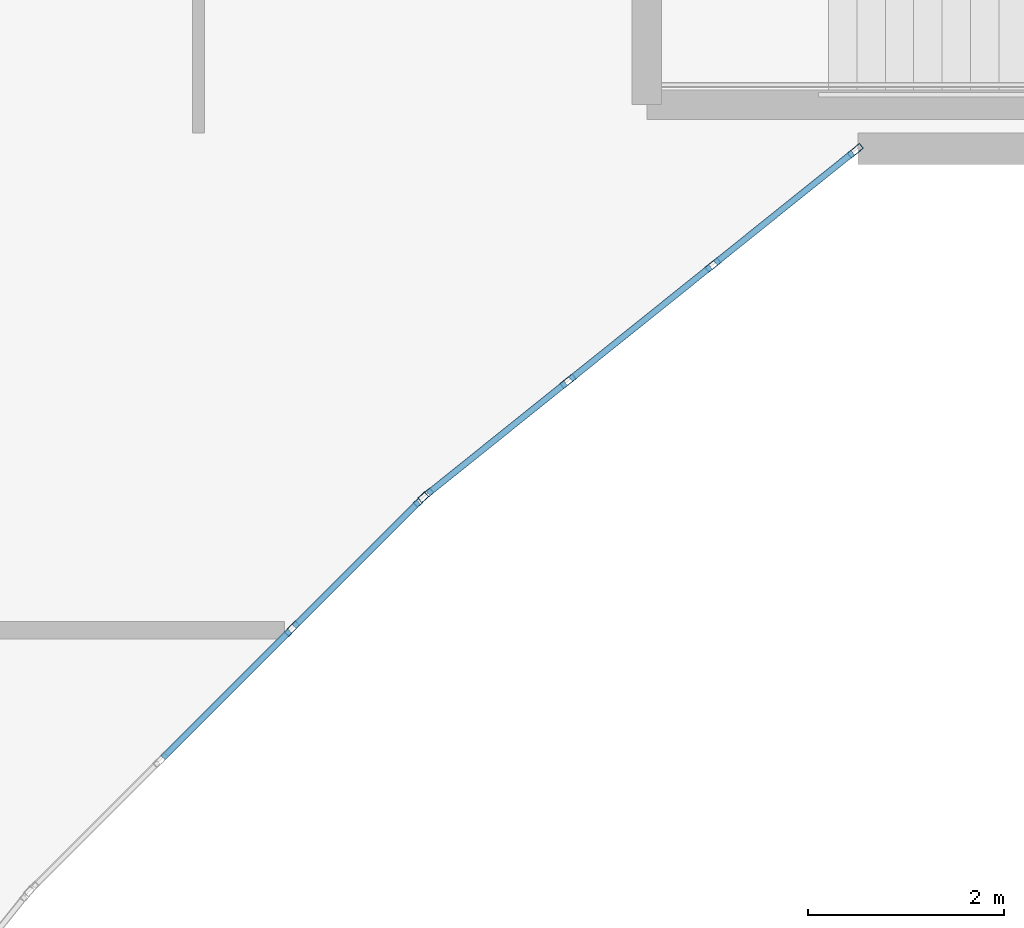
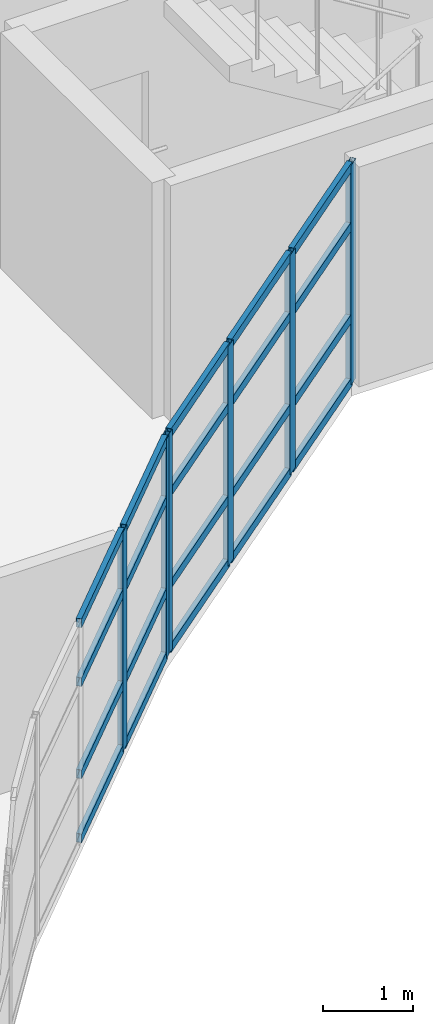
# One storey, part 16 of 68: 26 members, 2 elements without a shape of their own.
"""IFC4 building model written with IfcOpenShell, lengths in metres."""

from ifc_helpers import new_model, si_unit, direction, frame, origin, origin_2d, place, context, subcontext, project, spatial, hollow_rectangle, extrude, material, layer, layer_set, material_profile, profile_set, type_object, element, aggregate, save


model = new_model("IFC4")

# Units and contexts
model_context = context("Model", 3, precision=1e-05, world=origin(), true_north=direction((0.0, 1.0)))
body_context = subcontext(model_context, "Body", "Model", "MODEL_VIEW")
ifc_project = project(units=[si_unit("LENGTHUNIT", "METRE"), si_unit("AREAUNIT", "SQUARE_METRE"), si_unit("VOLUMEUNIT", "CUBIC_METRE"), si_unit("PLANEANGLEUNIT", "RADIAN"), si_unit("MASSUNIT", "GRAM", prefix="KILO")], contexts=[model_context])

# Site, building, storey
site_placement = place(None, origin())
site = spatial("IfcSite", under=ifc_project, at=site_placement, CompositionType="ELEMENT")
building_placement = place(site_placement, origin())
building = spatial("IfcBuilding", under=site, at=building_placement, Name="Keldmere Railside Commons", CompositionType="ELEMENT")
storey_placement = place(building_placement, frame((0.0, 0.0, 23.360107421875)))
storey = spatial("IfcBuildingStorey", under=building, at=storey_placement, Name="L07", CompositionType="ELEMENT", Elevation=23.360107421875)

# Curtain wall, members
ifc_material = material(Name="Thermally Broken Aluminium", Category="aluminium")
ifc_layer_1 = layer(ifc_material, 0.159912109375, Name="Court Chord Wintergarden CW 5400x2850")
ifc_layer_set_1 = layer_set([ifc_layer_1], Name="Thermally Broken Aluminium")
curtain_wall_type_1 = type_object("IfcCurtainWallType", Name="Court Chord Wintergarden CW 5400x2850", PredefinedType="NOTDEFINED", material=ifc_layer_set_1)
curtain_wall_1_placement = place(storey_placement, origin())
curtain_wall_1 = element("IfcCurtainWall", 1, at=curtain_wall_1_placement, inside=storey, type_object=curtain_wall_type_1, Name="CW-13 CW-L07-128", PredefinedType="NOTDEFINED")
ifc_material_profile_1 = material_profile(ifc_material, hollow_rectangle(XDim=0.06494140625, YDim=0.159912109375, WallThickness=0.00390625, at=origin_2d()), Name="ALU-MULL-65x160")
ifc_profile_set_1 = profile_set([ifc_material_profile_1], Name="Thermally Broken Aluminium")
member_type_1 = type_object("IfcMemberType", Name="Unitised Curtain Wall Mullion 65x160", PredefinedType="MULLION", material=ifc_profile_set_1)
member_1_placement = place(storey_placement, frame((127.547119140625, 96.423095703125, 0.0), z_axis=(0.0, 0.0, 1.0), x_axis=(0.707106781187, -0.707106781187, 0.0)))
member_1 = element("IfcMember", 2, at=member_1_placement, type_object=member_type_1, Name="CW-13 mullion 1", PredefinedType="MULLION", context=body_context, shape_type="SweptSolid", body=[
    extrude(hollow_rectangle(XDim=0.06494140625, YDim=0.159912109375, WallThickness=0.00390625, at=origin_2d()), origin(), (0.0, 0.0, 1.0), 2.97998046875),
])
member_2_placement = place(storey_placement, frame((126.2314453125, 95.107421875, 0.0), z_axis=(0.0, 0.0, 1.0), x_axis=(0.707106781187, -0.707106781187, 0.0)))
member_2 = element("IfcMember", 3, at=member_2_placement, type_object=member_type_1, Name="CW-13 mullion 2", PredefinedType="MULLION", context=body_context, shape_type="SweptSolid", body=[
    extrude(hollow_rectangle(XDim=0.06494140625, YDim=0.159912109375, WallThickness=0.00390625, at=origin_2d()), origin(), (0.0, 0.0, 1.0), 2.97998046875),
])

ifc_layer_2 = layer(ifc_material, 0.159912109375, Name="Court Chord Wintergarden CW 4800x2850")
ifc_layer_set_2 = layer_set([ifc_layer_2], Name="Thermally Broken Aluminium")
curtain_wall_type_2 = type_object("IfcCurtainWallType", Name="Court Chord Wintergarden CW 4800x2850", PredefinedType="NOTDEFINED", material=ifc_layer_set_2)
curtain_wall_2_placement = place(storey_placement, origin())
curtain_wall_2 = element("IfcCurtainWall", 4, at=curtain_wall_2_placement, inside=storey, type_object=curtain_wall_type_2, Name="CW-12 CW-L07-129", PredefinedType="NOTDEFINED")
member_3_placement = place(storey_placement, frame((131.974609375, 99.979736328125, 0.0), z_axis=(0.0, 0.0, 1.0), x_axis=(0.625768080915, -0.780009172323, 0.0)))
member_3 = element("IfcMember", 5, at=member_3_placement, type_object=member_type_1, Name="CW-12 mullion 1", PredefinedType="MULLION", context=body_context, shape_type="SweptSolid", body=[
    extrude(hollow_rectangle(XDim=0.06494140625, YDim=0.159912109375, WallThickness=0.00390625, at=origin_2d()), origin(), (0.0, 0.0, 1.0), 2.97998046875),
])
member_4_placement = place(storey_placement, frame((130.5234375, 98.8154296875, 0.0), z_axis=(0.0, 0.0, 1.0), x_axis=(0.625768080915, -0.780009172323, 0.0)))
member_4 = element("IfcMember", 6, at=member_4_placement, type_object=member_type_1, Name="CW-12 mullion 2", PredefinedType="MULLION", context=body_context, shape_type="SweptSolid", body=[
    extrude(hollow_rectangle(XDim=0.06494140625, YDim=0.159912109375, WallThickness=0.00390625, at=origin_2d()), origin(), (0.0, 0.0, 1.0), 2.97998046875),
])
member_5_placement = place(storey_placement, frame((129.046630859375, 97.630615234375, 0.0), z_axis=(0.0, 0.0, 1.0), x_axis=(0.625768080915, -0.780009172323, 0.0)))
member_5 = element("IfcMember", 7, at=member_5_placement, type_object=member_type_1, Name="CW-12 mullion 3", PredefinedType="MULLION", context=body_context, shape_type="SweptSolid", body=[
    extrude(hollow_rectangle(XDim=0.06494140625, YDim=0.159912109375, WallThickness=0.00390625, at=origin_2d()), origin(), (0.0, 0.0, 1.0), 2.97998046875),
])
member_6_placement = place(storey_placement, frame((127.595458984375, 96.46630859375, 0.0), z_axis=(0.0, 0.0, 1.0), x_axis=(0.625768080915, -0.780009172323, 0.0)))
member_6 = element("IfcMember", 8, at=member_6_placement, type_object=member_type_1, Name="CW-12 mullion 4", PredefinedType="MULLION", context=body_context, shape_type="SweptSolid", body=[
    extrude(hollow_rectangle(XDim=0.06494140625, YDim=0.159912109375, WallThickness=0.00390625, at=origin_2d()), origin(), (0.0, 0.0, 1.0), 2.97998046875),
])

# Member
ifc_material_profile_2 = material_profile(ifc_material, hollow_rectangle(XDim=0.06494140625, YDim=0.1201171875, WallThickness=0.00390625, at=origin_2d()), Name="ALU-TRAN-65x120")
ifc_profile_set_2 = profile_set([ifc_material_profile_2], Name="Thermally Broken Aluminium")
member_type_2 = type_object("IfcMemberType", Name="Unitised Curtain Wall Transom 65x120", PredefinedType="USERDEFINED", material=ifc_profile_set_2)
member_7_placement = place(storey_placement, frame((127.52392578125, 96.400146484375, 0.032470703125), z_axis=(-0.707038793419, -0.707174762418, 0.0), x_axis=(0.707174762418, -0.707038793419, 0.0)))
member_7 = element("IfcMember", 9, at=member_7_placement, type_object=member_type_2, Name="CW-13 transom 1.1", ObjectType="TRANSOM", PredefinedType="USERDEFINED", context=body_context, shape_type="SweptSolid", body=[
    extrude(hollow_rectangle(XDim=0.06494140625, YDim=0.1201171875, WallThickness=0.00390625, at=origin_2d()), origin(), (0.0, 0.0, 1.0), 1.795654296875),
])

member_8_placement = place(storey_placement, frame((127.52392578125, 96.400146484375, 0.89990234375), z_axis=(-0.707038793419, -0.707174762418, 0.0), x_axis=(0.707174762418, -0.707038793419, 0.0)))
member_8 = element("IfcMember", 10, at=member_8_placement, type_object=member_type_2, Name="CW-13 transom 1.2", ObjectType="TRANSOM", PredefinedType="USERDEFINED", context=body_context, shape_type="SweptSolid", body=[
    extrude(hollow_rectangle(XDim=0.06494140625, YDim=0.1201171875, WallThickness=0.00390625, at=origin_2d()), origin(), (0.0, 0.0, 1.0), 1.795654296875),
])

member_9_placement = place(storey_placement, frame((127.52392578125, 96.400146484375, 2.14990234375), z_axis=(-0.707038793419, -0.707174762418, 0.0), x_axis=(0.707174762418, -0.707038793419, 0.0)))
member_9 = element("IfcMember", 11, at=member_9_placement, type_object=member_type_2, Name="CW-13 transom 1.3", ObjectType="TRANSOM", PredefinedType="USERDEFINED", context=body_context, shape_type="SweptSolid", body=[
    extrude(hollow_rectangle(XDim=0.06494140625, YDim=0.1201171875, WallThickness=0.00390625, at=origin_2d()), origin(), (0.0, 0.0, 1.0), 1.795654296875),
])

member_10_placement = place(storey_placement, frame((127.52392578125, 96.400146484375, 2.947509765625), z_axis=(-0.707038793419, -0.707174762418, 0.0), x_axis=(0.707174762418, -0.707038793419, 0.0)))
member_10 = element("IfcMember", 12, at=member_10_placement, type_object=member_type_2, Name="CW-13 transom 1.4", ObjectType="TRANSOM", PredefinedType="USERDEFINED", context=body_context, shape_type="SweptSolid", body=[
    extrude(hollow_rectangle(XDim=0.06494140625, YDim=0.1201171875, WallThickness=0.00390625, at=origin_2d()), origin(), (0.0, 0.0, 1.0), 1.795654296875),
])

member_11_placement = place(storey_placement, frame((126.208251953125, 95.08447265625, 0.032470703125), z_axis=(-0.707106781187, -0.707106781187, 0.0), x_axis=(0.707106781187, -0.707106781187, 0.0)))
member_11 = element("IfcMember", 13, at=member_11_placement, type_object=member_type_2, Name="CW-13 transom 2.1", ObjectType="TRANSOM", PredefinedType="USERDEFINED", context=body_context, shape_type="SweptSolid", body=[
    extrude(hollow_rectangle(XDim=0.06494140625, YDim=0.1201171875, WallThickness=0.00390625, at=origin_2d()), origin(), (0.0, 0.0, 1.0), 1.828125),
])

member_12_placement = place(storey_placement, frame((126.208251953125, 95.08447265625, 0.89990234375), z_axis=(-0.707106781187, -0.707106781187, 0.0), x_axis=(0.707106781187, -0.707106781187, 0.0)))
member_12 = element("IfcMember", 14, at=member_12_placement, type_object=member_type_2, Name="CW-13 transom 2.2", ObjectType="TRANSOM", PredefinedType="USERDEFINED", context=body_context, shape_type="SweptSolid", body=[
    extrude(hollow_rectangle(XDim=0.06494140625, YDim=0.1201171875, WallThickness=0.00390625, at=origin_2d()), origin(), (0.0, 0.0, 1.0), 1.828125),
])

member_13_placement = place(storey_placement, frame((126.208251953125, 95.08447265625, 2.14990234375), z_axis=(-0.707106781187, -0.707106781187, 0.0), x_axis=(0.707106781187, -0.707106781187, 0.0)))
member_13 = element("IfcMember", 15, at=member_13_placement, type_object=member_type_2, Name="CW-13 transom 2.3", ObjectType="TRANSOM", PredefinedType="USERDEFINED", context=body_context, shape_type="SweptSolid", body=[
    extrude(hollow_rectangle(XDim=0.06494140625, YDim=0.1201171875, WallThickness=0.00390625, at=origin_2d()), origin(), (0.0, 0.0, 1.0), 1.828125),
])

member_14_placement = place(storey_placement, frame((126.208251953125, 95.08447265625, 2.947509765625), z_axis=(-0.707106781187, -0.707106781187, 0.0), x_axis=(0.707106781187, -0.707106781187, 0.0)))
member_14 = element("IfcMember", 16, at=member_14_placement, type_object=member_type_2, Name="CW-13 transom 2.4", ObjectType="TRANSOM", PredefinedType="USERDEFINED", context=body_context, shape_type="SweptSolid", body=[
    extrude(hollow_rectangle(XDim=0.06494140625, YDim=0.1201171875, WallThickness=0.00390625, at=origin_2d()), origin(), (0.0, 0.0, 1.0), 1.828125),
])

aggregate(curtain_wall_1, [member_1, member_2, member_7, member_8, member_9, member_10, member_11, member_12, member_13, member_14])

member_15_placement = place(storey_placement, frame((131.94921875, 99.959228515625, 0.032470703125), z_axis=(-0.780045694992, -0.625722553313, 0.0), x_axis=(0.625722553313, -0.780045694992, 0.0)))
member_15 = element("IfcMember", 17, at=member_15_placement, type_object=member_type_2, Name="CW-12 transom 1.1", ObjectType="TRANSOM", PredefinedType="USERDEFINED", context=body_context, shape_type="SweptSolid", body=[
    extrude(hollow_rectangle(XDim=0.06494140625, YDim=0.1201171875, WallThickness=0.00390625, at=origin_2d()), origin(), (0.0, 0.0, 1.0), 1.795654296875),
])

member_16_placement = place(storey_placement, frame((131.94921875, 99.959228515625, 0.89990234375), z_axis=(-0.780045694992, -0.625722553313, 0.0), x_axis=(0.625722553313, -0.780045694992, 0.0)))
member_16 = element("IfcMember", 18, at=member_16_placement, type_object=member_type_2, Name="CW-12 transom 1.2", ObjectType="TRANSOM", PredefinedType="USERDEFINED", context=body_context, shape_type="SweptSolid", body=[
    extrude(hollow_rectangle(XDim=0.06494140625, YDim=0.1201171875, WallThickness=0.00390625, at=origin_2d()), origin(), (0.0, 0.0, 1.0), 1.795654296875),
])

member_17_placement = place(storey_placement, frame((131.94921875, 99.959228515625, 2.14990234375), z_axis=(-0.780045694992, -0.625722553313, 0.0), x_axis=(0.625722553313, -0.780045694992, 0.0)))
member_17 = element("IfcMember", 19, at=member_17_placement, type_object=member_type_2, Name="CW-12 transom 1.3", ObjectType="TRANSOM", PredefinedType="USERDEFINED", context=body_context, shape_type="SweptSolid", body=[
    extrude(hollow_rectangle(XDim=0.06494140625, YDim=0.1201171875, WallThickness=0.00390625, at=origin_2d()), origin(), (0.0, 0.0, 1.0), 1.795654296875),
])

member_18_placement = place(storey_placement, frame((131.94921875, 99.959228515625, 2.947509765625), z_axis=(-0.780045694992, -0.625722553313, 0.0), x_axis=(0.625722553313, -0.780045694992, 0.0)))
member_18 = element("IfcMember", 20, at=member_18_placement, type_object=member_type_2, Name="CW-12 transom 1.4", ObjectType="TRANSOM", PredefinedType="USERDEFINED", context=body_context, shape_type="SweptSolid", body=[
    extrude(hollow_rectangle(XDim=0.06494140625, YDim=0.1201171875, WallThickness=0.00390625, at=origin_2d()), origin(), (0.0, 0.0, 1.0), 1.795654296875),
])

member_19_placement = place(storey_placement, frame((130.498046875, 98.794921875, 0.032470703125), z_axis=(-0.78007338409, -0.625688033635, 0.0), x_axis=(0.625688033635, -0.78007338409, 0.0)))
member_19 = element("IfcMember", 21, at=member_19_placement, type_object=member_type_2, Name="CW-12 transom 2.1", ObjectType="TRANSOM", PredefinedType="USERDEFINED", context=body_context, shape_type="SweptSolid", body=[
    extrude(hollow_rectangle(XDim=0.06494140625, YDim=0.1201171875, WallThickness=0.00390625, at=origin_2d()), origin(), (0.0, 0.0, 1.0), 1.828125),
])

member_20_placement = place(storey_placement, frame((130.498046875, 98.794921875, 0.89990234375), z_axis=(-0.78007338409, -0.625688033635, 0.0), x_axis=(0.625688033635, -0.78007338409, 0.0)))
member_20 = element("IfcMember", 22, at=member_20_placement, type_object=member_type_2, Name="CW-12 transom 2.2", ObjectType="TRANSOM", PredefinedType="USERDEFINED", context=body_context, shape_type="SweptSolid", body=[
    extrude(hollow_rectangle(XDim=0.06494140625, YDim=0.1201171875, WallThickness=0.00390625, at=origin_2d()), origin(), (0.0, 0.0, 1.0), 1.828125),
])

member_21_placement = place(storey_placement, frame((130.498046875, 98.794921875, 2.14990234375), z_axis=(-0.78007338409, -0.625688033635, 0.0), x_axis=(0.625688033635, -0.78007338409, 0.0)))
member_21 = element("IfcMember", 23, at=member_21_placement, type_object=member_type_2, Name="CW-12 transom 2.3", ObjectType="TRANSOM", PredefinedType="USERDEFINED", context=body_context, shape_type="SweptSolid", body=[
    extrude(hollow_rectangle(XDim=0.06494140625, YDim=0.1201171875, WallThickness=0.00390625, at=origin_2d()), origin(), (0.0, 0.0, 1.0), 1.828125),
])

member_22_placement = place(storey_placement, frame((130.498046875, 98.794921875, 2.947509765625), z_axis=(-0.78007338409, -0.625688033635, 0.0), x_axis=(0.625688033635, -0.78007338409, 0.0)))
member_22 = element("IfcMember", 24, at=member_22_placement, type_object=member_type_2, Name="CW-12 transom 2.4", ObjectType="TRANSOM", PredefinedType="USERDEFINED", context=body_context, shape_type="SweptSolid", body=[
    extrude(hollow_rectangle(XDim=0.06494140625, YDim=0.1201171875, WallThickness=0.00390625, at=origin_2d()), origin(), (0.0, 0.0, 1.0), 1.828125),
])

member_23_placement = place(storey_placement, frame((129.021240234375, 97.6103515625, 0.032470703125), z_axis=(-0.779979331565, -0.625805275091, 0.0), x_axis=(0.625805275091, -0.779979331565, 0.0)))
member_23 = element("IfcMember", 25, at=member_23_placement, type_object=member_type_2, Name="CW-12 transom 3.1", ObjectType="TRANSOM", PredefinedType="USERDEFINED", context=body_context, shape_type="SweptSolid", body=[
    extrude(hollow_rectangle(XDim=0.06494140625, YDim=0.1201171875, WallThickness=0.00390625, at=origin_2d()), origin(), (0.0, 0.0, 1.0), 1.795654296875),
])

member_24_placement = place(storey_placement, frame((129.021240234375, 97.6103515625, 0.89990234375), z_axis=(-0.779979331565, -0.625805275091, 0.0), x_axis=(0.625805275091, -0.779979331565, 0.0)))
member_24 = element("IfcMember", 26, at=member_24_placement, type_object=member_type_2, Name="CW-12 transom 3.2", ObjectType="TRANSOM", PredefinedType="USERDEFINED", context=body_context, shape_type="SweptSolid", body=[
    extrude(hollow_rectangle(XDim=0.06494140625, YDim=0.1201171875, WallThickness=0.00390625, at=origin_2d()), origin(), (0.0, 0.0, 1.0), 1.795654296875),
])

member_25_placement = place(storey_placement, frame((129.021240234375, 97.6103515625, 2.14990234375), z_axis=(-0.779979331565, -0.625805275091, 0.0), x_axis=(0.625805275091, -0.779979331565, 0.0)))
member_25 = element("IfcMember", 27, at=member_25_placement, type_object=member_type_2, Name="CW-12 transom 3.3", ObjectType="TRANSOM", PredefinedType="USERDEFINED", context=body_context, shape_type="SweptSolid", body=[
    extrude(hollow_rectangle(XDim=0.06494140625, YDim=0.1201171875, WallThickness=0.00390625, at=origin_2d()), origin(), (0.0, 0.0, 1.0), 1.795654296875),
])

member_26_placement = place(storey_placement, frame((129.021240234375, 97.6103515625, 2.947509765625), z_axis=(-0.779979331565, -0.625805275091, 0.0), x_axis=(0.625805275091, -0.779979331565, 0.0)))
member_26 = element("IfcMember", 28, at=member_26_placement, type_object=member_type_2, Name="CW-12 transom 3.4", ObjectType="TRANSOM", PredefinedType="USERDEFINED", context=body_context, shape_type="SweptSolid", body=[
    extrude(hollow_rectangle(XDim=0.06494140625, YDim=0.1201171875, WallThickness=0.00390625, at=origin_2d()), origin(), (0.0, 0.0, 1.0), 1.795654296875),
])

aggregate(curtain_wall_2, [member_3, member_4, member_5, member_6, member_15, member_16, member_17, member_18, member_19, member_20, member_21, member_22, member_23, member_24, member_25, member_26])

save(model, "model.ifc")
